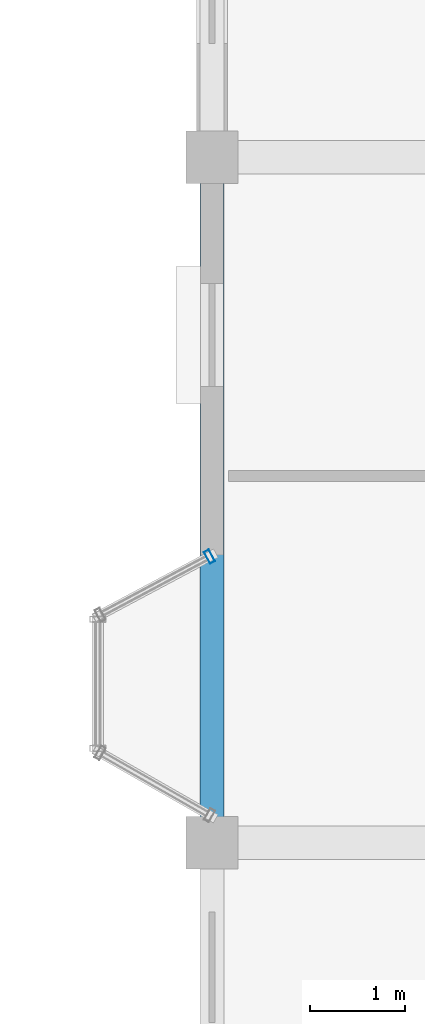
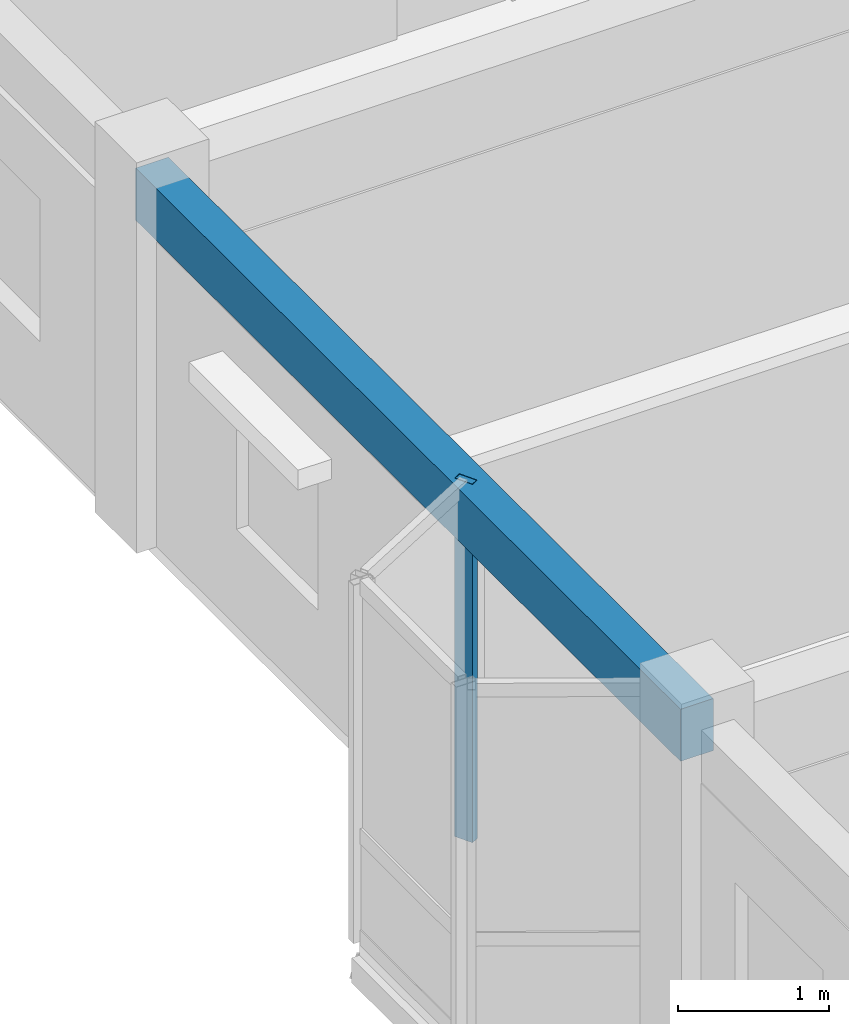
# One storey, part 28 of 77: 1 beam, 1 member, 1 element without a shape of its own.
"""IFC4 building model written with IfcOpenShell, lengths in metres."""

from ifc_helpers import new_model, si_unit, direction, frame, origin, origin_2d, place, context, subcontext, project, spatial, rectangle, hollow_rectangle, extrude, material, layer, layer_set, material_profile, profile_set, type_object, element, aggregate, save


model = new_model("IFC4")

# Units and contexts
model_context = context("Model", 3, precision=1e-05, world=origin(), true_north=direction((0.0, 1.0)))
body_context = subcontext(model_context, "Body", "Model", "MODEL_VIEW")
ifc_project = project(units=[si_unit("LENGTHUNIT", "METRE"), si_unit("AREAUNIT", "SQUARE_METRE"), si_unit("VOLUMEUNIT", "CUBIC_METRE"), si_unit("PLANEANGLEUNIT", "RADIAN"), si_unit("MASSUNIT", "GRAM", prefix="KILO"), si_unit("THERMODYNAMICTEMPERATUREUNIT", "KELVIN"), si_unit("POWERUNIT", "WATT")], contexts=[model_context])

# Site, building, storey
site_placement = place(None, origin())
site = spatial("IfcSite", under=ifc_project, at=site_placement, CompositionType="ELEMENT")
building_placement = place(site_placement, origin())
building = spatial("IfcBuilding", under=site, at=building_placement, Name="Tavuni Mirador Residences", CompositionType="ELEMENT")
storey_placement = place(building_placement, frame((0.0, 0.0, 10.800048828125)))
storey = spatial("IfcBuildingStorey", under=building, at=storey_placement, Name="L03", CompositionType="ELEMENT", Elevation=10.800048828125)

# Beam
ifc_material_1 = material(Name="Precast concrete C40/50", Category="concrete")
ifc_material_profile_1 = material_profile(ifc_material_1, rectangle(XDim=0.25, YDim=0.419921875, at=origin_2d()), Name="PC 250x420", Category="concrete")
ifc_profile_set_1 = profile_set([ifc_material_profile_1], Name="Precast concrete C40/50")
beam_type = type_object("IfcBeamType", Name="BT-SP420", PredefinedType="SPANDREL", material=ifc_profile_set_1)
beam_placement = place(storey_placement, frame((90.0, 108.0, 2.679931640625), z_axis=(0.0, 1.0, 0.0), x_axis=(-1.0, 0.0, 0.0)))
element("IfcBeam", 1, at=beam_placement, inside=storey, type_object=beam_type, Name="BMY-BLK-D-L03-00-03", PredefinedType="SPANDREL", context=body_context, shape_type="SweptSolid", body=[
    extrude(rectangle(XDim=0.25, YDim=0.419921875, at=origin_2d()), origin(), (0.0, 0.0, 1.0), 7.199951171875),
])

# Curtain wall, member
ifc_material_2 = material(Name="Anodised aluminium", Category="aluminium")
ifc_layer = layer(ifc_material_2, 0.1650390625, Name="Anodised aluminium", Category="aluminium")
ifc_layer_set = layer_set([ifc_layer], Name="Anodised aluminium")
curtain_wall_type = type_object("IfcCurtainWallType", Name="CWT-MIR-A", PredefinedType="NOTDEFINED", material=ifc_layer_set)
curtain_wall_placement = place(storey_placement, origin())
curtain_wall = element("IfcCurtainWall", 2, at=curtain_wall_placement, inside=storey, type_object=curtain_wall_type, Name="CW-MIR-D-W2-L03-M1", PredefinedType="NOTDEFINED")
ifc_material_profile_2 = material_profile(ifc_material_2, hollow_rectangle(XDim=0.06005859375, YDim=0.139892578125, WallThickness=0.00390625, at=origin_2d()), Name="ALU 60x140x4.0", Category="aluminium")
ifc_profile_set_2 = profile_set([ifc_material_profile_2], Name="Anodised aluminium")
member_type = type_object("IfcMemberType", Name="CWM-140", PredefinedType="MULLION", material=ifc_profile_set_2)
member_placement = place(storey_placement, frame((89.9736328125, 111.005859375, 0.0), z_axis=(0.0, 0.0, 1.0), x_axis=(-0.882352941175, -0.470588235296, 0.0)))
member = element("IfcMember", 3, at=member_placement, type_object=member_type, Name="CW-01 mullion 1", PredefinedType="MULLION", context=body_context, shape_type="SweptSolid", body=[
    extrude(hollow_rectangle(XDim=0.06005859375, YDim=0.139892578125, WallThickness=0.00390625, at=origin_2d()), origin(), (0.0, 0.0, 1.0), 2.889892578125),
])
aggregate(curtain_wall, [member])

save(model, "model.ifc")
